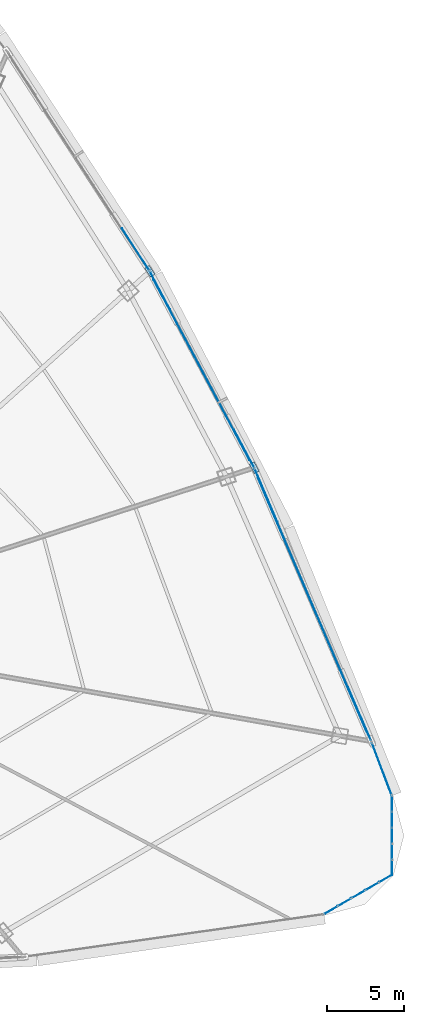
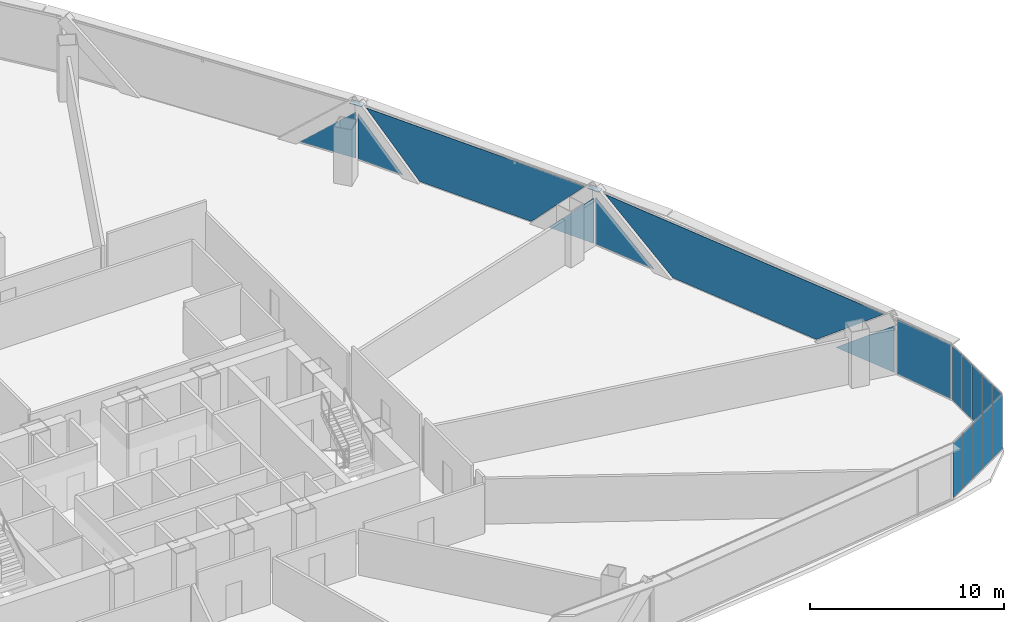
# One storey, part 30 of 39: 20 plates, 6 elements without a shape of their own.
"""IFC4 building model written with IfcOpenShell, lengths in metres."""

from ifc_helpers import new_model, si_unit, direction, frame, origin, origin_2d, place, context, subcontext, project, spatial, polyline, rectangle, outline, extrude, source, transform, mapped, material, layer, layer_set, type_object, element, aggregate, save


model = new_model("IFC4")

# Units and contexts
model_context = context("Model", 3, precision=1e-05, world=origin(), true_north=direction((0.0, 1.0)))
body_context = subcontext(model_context, "Body", "Model", "MODEL_VIEW")
ifc_project = project(units=[si_unit("LENGTHUNIT", "METRE"), si_unit("AREAUNIT", "SQUARE_METRE"), si_unit("VOLUMEUNIT", "CUBIC_METRE"), si_unit("PLANEANGLEUNIT", "RADIAN"), si_unit("MASSUNIT", "GRAM", prefix="KILO"), si_unit("THERMODYNAMICTEMPERATUREUNIT", "KELVIN"), si_unit("POWERUNIT", "WATT")], contexts=[model_context])

# Site, building, storey
site_placement = place(None, origin())
site = spatial("IfcSite", under=ifc_project, at=site_placement, CompositionType="ELEMENT")
building_placement = place(site_placement, origin())
building = spatial("IfcBuilding", under=site, at=building_placement, Name="Yunzhuo Pagoda Commons", CompositionType="ELEMENT")
storey_placement = place(building_placement, frame((0.0, 0.0, 92.580078125)))
storey = spatial("IfcBuildingStorey", under=building, at=storey_placement, Name="L23", CompositionType="ELEMENT", Elevation=92.580078125)

# Curtain wall, plates
ifc_material_1 = material(Name="Anodized aluminium 6063-T6", Category="aluminium")
ifc_layer_1 = layer(ifc_material_1, 0.1650390625)
ifc_layer_set_1 = layer_set([ifc_layer_1], Name="Anodized aluminium 6063-T6")
curtain_wall_type_1 = type_object("IfcCurtainWallType", Name="CW-LOW Low-Zone Ribbon Curtain Wall", PredefinedType="NOTDEFINED", material=ifc_layer_set_1)
curtain_wall_1_placement = place(storey_placement, origin())
curtain_wall_1 = element("IfcCurtainWall", 1, at=curtain_wall_1_placement, inside=storey, type_object=curtain_wall_type_1, Name="L23 curtain wall CW-L23-F2B2", PredefinedType="NOTDEFINED")
ifc_material_2 = material(Name="Tempered low-e double glazing", Category="glass")
ifc_layer_2 = layer(ifc_material_2, 0.028076171875)
ifc_layer_set_2 = layer_set([ifc_layer_2], Name="Tempered low-e double glazing")
plate_type_1 = type_object("IfcPlateType", Name="CW-LOW-P Low-E Double Glazing 28", PredefinedType="CURTAIN_PANEL", material=ifc_layer_set_2)
plate_1_placement = place(storey_placement, frame((87.628173828125, 28.352783203125, 1.53271484375), z_axis=(0.919382894415, 0.393363818185, 0.0), x_axis=(-0.393363818185, 0.919382894415, 0.0)))
plate_1 = element("IfcPlate", 2, at=plate_1_placement, type_object=plate_type_1, Name="CW panel 1.1 lite 1", PredefinedType="CURTAIN_PANEL", context=body_context, shape_type="SweptSolid", body=[
    extrude(outline(polyline([(-1.873779296875, -1.472900390625), (1.873779296875, -1.472900390625), (-1.873779296875, 1.472900390625), (-1.873779296875, -1.472900390625)])), origin(), (0.0, 0.0, 1.0), 0.028076171875),
])
plate_2_placement = place(storey_placement, frame((84.5595703125, 35.448486328125, 1.77001953125), z_axis=(0.919382894415, 0.393363818185, 0.0), x_axis=(-0.393363818185, 0.919382894415, 0.0)))
plate_2 = element("IfcPlate", 3, at=plate_2_placement, type_object=plate_type_1, Name="CW panel 1.1 lite 2", PredefinedType="CURTAIN_PANEL", context=body_context, shape_type="SweptSolid", body=[
    extrude(outline(polyline([(-8.978515625, 1.7099609375), (-4.627197265625, -1.7099609375), (4.627197265625, -1.7099609375), (8.978515625, 1.7099609375), (-8.978515625, 1.7099609375)])), origin(), (0.0, 0.0, 1.0), 0.028076171875),
])
plate_3_placement = place(storey_placement, frame((81.546142578125, 42.56787109375, 1.53271484375), z_axis=(0.919382894415, 0.393363818185, 0.0), x_axis=(-0.393363818185, 0.919382894415, 0.0)))
plate_3 = element("IfcPlate", 4, at=plate_3_placement, type_object=plate_type_1, Name="CW panel 1.1 lite 3", PredefinedType="CURTAIN_PANEL", context=body_context, shape_type="SweptSolid", body=[
    extrude(outline(polyline([(-1.873779296875, -1.472900390625), (1.873779296875, -1.472900390625), (1.873779296875, 1.472900390625), (-1.873779296875, -1.472900390625)])), origin(), (0.0, 0.0, 1.0), 0.028076171875),
])
aggregate(curtain_wall_1, [plate_1, plate_2, plate_3])

curtain_wall_2_placement = place(storey_placement, origin())
curtain_wall_2 = element("IfcCurtainWall", 5, at=curtain_wall_2_placement, inside=storey, type_object=curtain_wall_type_1, Name="L23 curtain wall CW-L23-F2B3", PredefinedType="NOTDEFINED")
plate_4_placement = place(storey_placement, frame((80.114990234375, 45.60791015625, 1.489990234375), z_axis=(0.882975865639, 0.469418385558, 0.0), x_axis=(-0.469418385558, 0.882975865639, 0.0)))
plate_4 = element("IfcPlate", 6, at=plate_4_placement, type_object=plate_type_1, Name="CW panel 1.1 lite 1", PredefinedType="CURTAIN_PANEL", context=body_context, shape_type="SweptSolid", body=[
    extrude(outline(polyline([(-1.360107421875, -1.43017578125), (1.360107421875, -1.43017578125), (-1.360107421875, 1.43017578125), (-1.360107421875, -1.43017578125)])), origin(), (0.0, 0.0, 1.0), 0.028076171875),
])
plate_5_placement = place(storey_placement, frame((77.36474609375, 50.717529296875, 1.77001953125), z_axis=(0.882975865639, 0.469418385558, 0.0), x_axis=(-0.469418385558, 0.882975865639, 0.0)))
plate_5 = element("IfcPlate", 7, at=plate_5_placement, type_object=plate_type_1, Name="CW panel 1.1 lite 2", PredefinedType="CURTAIN_PANEL", context=body_context, shape_type="SweptSolid", body=[
    extrude(outline(polyline([(-6.646240234375, 1.7099609375), (-3.393798828125, -1.7099609375), (3.393798828125, -1.7099609375), (6.646240234375, 1.7099609375), (-6.646240234375, 1.7099609375)])), origin(), (0.0, 0.0, 1.0), 0.028076171875),
])
plate_6_placement = place(storey_placement, frame((74.667236328125, 55.855224609375, 1.489990234375), z_axis=(0.882975865639, 0.469418385558, 0.0), x_axis=(-0.469418385558, 0.882975865639, 0.0)))
plate_6 = element("IfcPlate", 8, at=plate_6_placement, type_object=plate_type_1, Name="CW panel 1.1 lite 3", PredefinedType="CURTAIN_PANEL", context=body_context, shape_type="SweptSolid", body=[
    extrude(outline(polyline([(-1.360107421875, -1.43017578125), (1.360107421875, -1.43017578125), (1.360107421875, 1.43017578125), (-1.360107421875, -1.43017578125)])), origin(), (0.0, 0.0, 1.0), 0.028076171875),
])
aggregate(curtain_wall_2, [plate_4, plate_5, plate_6])

# Curtain wall, plate
curtain_wall_3_placement = place(storey_placement, origin())
curtain_wall_3 = element("IfcCurtainWall", 9, at=curtain_wall_3_placement, inside=storey, type_object=curtain_wall_type_1, Name="L23 curtain wall CW-L23-F2B4", PredefinedType="NOTDEFINED")
plate_7_placement = place(storey_placement, frame((73.078369140625, 58.53173828125, 1.515869140625), z_axis=(0.838972259493, 0.544174188841, 0.0), x_axis=(-0.544174188841, 0.838972259493, 0.0)))
plate_7 = element("IfcPlate", 10, at=plate_7_placement, type_object=plate_type_1, Name="CW panel 1.1 lite 1", PredefinedType="CURTAIN_PANEL", context=body_context, shape_type="SweptSolid", body=[
    extrude(outline(polyline([(-1.62646484375, -1.455810546875), (1.62646484375, -1.455810546875), (-1.62646484375, 1.455810546875), (-1.62646484375, -1.455810546875)])), origin(), (0.0, 0.0, 1.0), 0.028076171875),
])
aggregate(curtain_wall_3, [plate_7])

# Plates
ifc_material_3 = material(Name="Structural steel Q355B", Category="steel")
ifc_layer_3 = layer(ifc_material_3, 0.028076171875)
ifc_layer_set_3 = layer_set([ifc_layer_3], Name="Structural steel Q355B")
plate_type_2 = type_object("IfcPlateType", Name="SP-ND1 Lattice Node Cap Plate 800x500x28", PredefinedType="USERDEFINED", material=ifc_layer_set_3)
shared_shape_1 = source(origin(), body_context, "Body", "SweptSolid", [
    extrude(rectangle(XDim=0.699951171875, YDim=0.35009765625, at=origin_2d()), origin(), (0.0, 0.0, 1.0), 0.035888671875),
])
for number, where, z_axis, x_axis, name in (
    (11, (80.79638671875, 44.356201171875, 3.501953125), (0.0, 0.0, 1.0), (-0.469425331115, 0.882972173122, 0.0), "L23 setback lattice tie plate F2.2L"),
    (12, (74.0107421875, 57.1201171875, 3.501953125), (0.0, 0.0, 1.0), (-0.544170548087, 0.838974620948, 0.0), "L23 setback lattice tie plate F2.3L"),
):
    element("IfcPlate", number, at=place(storey_placement, frame(where, z_axis=z_axis, x_axis=x_axis)), inside=storey, type_object=plate_type_2, Name=name, ObjectType="STIFFENER_PLATE", PredefinedType="USERDEFINED", context=body_context, shape_type="MappedRepresentation", body=[
        mapped(shared_shape_1, transform((0.0, 0.0, 0.0), scale=1.0)),
    ])

# Curtain wall, plate
curtain_wall_4_placement = place(storey_placement, origin())
curtain_wall_4 = element("IfcCurtainWall", 13, at=curtain_wall_4_placement, inside=storey, type_object=curtain_wall_type_1, Name="L23 curtain wall CW-L23-F2B1", PredefinedType="NOTDEFINED")
shared_shape_2 = source(origin(), body_context, "Body", "SweptSolid", [
    extrude(rectangle(XDim=3.582763671875, YDim=0.028076171875, at=origin_2d()), origin(), (0.0, 0.0, 1.0), 3.419921875),
])
plate_8_placement = place(storey_placement, frame((89.086669921875, 24.768798828125, 0.06005859375), z_axis=(0.0, 0.0, 1.0), x_axis=(-0.353448231461, 0.935454086355, 0.0)))
plate_8 = element("IfcPlate", 14, at=plate_8_placement, type_object=plate_type_1, Name="CW panel 1.1", PredefinedType="CURTAIN_PANEL", context=body_context, shape_type="MappedRepresentation", body=[
    mapped(shared_shape_2, transform((0.0, 0.0, 0.0), scale=1.0)),
])
aggregate(curtain_wall_4, [plate_8])

# Curtain wall, plates
ifc_layer_4 = layer(ifc_material_1, 0.1298828125)
ifc_layer_set_4 = layer_set([ifc_layer_4], Name="Anodized aluminium 6063-T6")
curtain_wall_type_2 = type_object("IfcCurtainWallType", Name="CW-VTX Rounded Corner Curtain Wall", PredefinedType="NOTDEFINED", material=ifc_layer_set_4)
curtain_wall_5_placement = place(storey_placement, origin())
curtain_wall_5 = element("IfcCurtainWall", 15, at=curtain_wall_5_placement, inside=storey, type_object=curtain_wall_type_2, Name="L23 curtain wall CW-L23-VTX2S1", PredefinedType="NOTDEFINED")
ifc_layer_5 = layer(ifc_material_2, 0.02587890625)
ifc_layer_set_5 = layer_set([ifc_layer_5], Name="Tempered low-e double glazing")
plate_type_3 = type_object("IfcPlateType", Name="CW-VTX-P Low-E Double Glazing 26", PredefinedType="CURTAIN_PANEL", material=ifc_layer_set_5)
shared_shape_3 = source(origin(), body_context, "Body", "SweptSolid", [
    extrude(rectangle(XDim=0.953125, YDim=0.028076171875, at=origin_2d()), origin(), (0.0, 0.0, 1.0), 3.429931640625),
])
plate_9_placement = place(storey_placement, frame((85.7802734375, 15.59619140625, 0.05517578125), z_axis=(0.0, 0.0, 1.0), x_axis=(0.865426726249, 0.501035509214, 0.0)))
plate_9 = element("IfcPlate", 16, at=plate_9_placement, type_object=plate_type_3, Name="CW panel 1.1", PredefinedType="CURTAIN_PANEL", context=body_context, shape_type="MappedRepresentation", body=[
    mapped(shared_shape_3, transform((0.0, 0.0, 0.0), scale=1.0)),
])
plate_10_placement = place(storey_placement, frame((89.341064453125, 17.65771484375, 0.05517578125), z_axis=(0.0, 0.0, 1.0), x_axis=(0.865426726249, 0.501035509214, 0.0)))
plate_10 = element("IfcPlate", 17, at=plate_10_placement, type_object=plate_type_3, Name="CW panel 5.1", PredefinedType="CURTAIN_PANEL", context=body_context, shape_type="MappedRepresentation", body=[
    mapped(shared_shape_3, transform((0.0, 0.0, 0.0), scale=1.0)),
])

curtain_wall_6_placement = place(storey_placement, origin())
curtain_wall_6 = element("IfcCurtainWall", 18, at=curtain_wall_6_placement, inside=storey, type_object=curtain_wall_type_2, Name="L23 curtain wall CW-L23-VTX2S2", PredefinedType="NOTDEFINED")
plate_11_placement = place(storey_placement, frame((89.75927734375, 18.38623046875, 0.05517578125), z_axis=(0.0, 0.0, 1.0), x_axis=(-0.003572992237, 0.999993616843, 0.0)))
plate_11 = element("IfcPlate", 19, at=plate_11_placement, type_object=plate_type_3, Name="CW panel 1.1", PredefinedType="CURTAIN_PANEL", context=body_context, shape_type="MappedRepresentation", body=[
    mapped(shared_shape_3, transform((0.0, 0.0, 0.0), scale=1.0)),
])
plate_12_placement = place(storey_placement, frame((89.74462890625, 22.500732421875, 0.05517578125), z_axis=(0.0, 0.0, 1.0), x_axis=(-0.003572992237, 0.999993616843, 0.0)))
plate_12 = element("IfcPlate", 20, at=plate_12_placement, type_object=plate_type_3, Name="CW panel 5.1", PredefinedType="CURTAIN_PANEL", context=body_context, shape_type="MappedRepresentation", body=[
    mapped(shared_shape_3, transform((0.0, 0.0, 0.0), scale=1.0)),
])

# Plate
shared_shape_4 = source(origin(), body_context, "Body", "SweptSolid", [
    extrude(rectangle(XDim=0.98046875, YDim=0.028076171875, at=origin_2d()), origin(), (0.0, 0.0, 1.0), 3.429931640625),
])
plate_13_placement = place(storey_placement, frame((86.66455078125, 16.108154296875, 0.05517578125), z_axis=(0.0, 0.0, 1.0), x_axis=(0.865426726249, 0.501035509214, 0.0)))
plate_13 = element("IfcPlate", 21, at=plate_13_placement, type_object=plate_type_3, Name="CW panel 2.1", PredefinedType="CURTAIN_PANEL", context=body_context, shape_type="MappedRepresentation", body=[
    mapped(shared_shape_4, transform((0.0, 0.0, 0.0), scale=1.0)),
])

plate_14_placement = place(storey_placement, frame((87.560546875, 16.626953125, 0.05517578125), z_axis=(0.0, 0.0, 1.0), x_axis=(0.865426726249, 0.501035509214, 0.0)))
plate_14 = element("IfcPlate", 22, at=plate_14_placement, type_object=plate_type_3, Name="CW panel 3.1", PredefinedType="CURTAIN_PANEL", context=body_context, shape_type="MappedRepresentation", body=[
    mapped(shared_shape_4, transform((0.0, 0.0, 0.0), scale=1.0)),
])

plate_15_placement = place(storey_placement, frame((88.456787109375, 17.145751953125, 0.05517578125), z_axis=(0.0, 0.0, 1.0), x_axis=(0.865426726249, 0.501035509214, 0.0)))
plate_15 = element("IfcPlate", 23, at=plate_15_placement, type_object=plate_type_3, Name="CW panel 4.1", PredefinedType="CURTAIN_PANEL", context=body_context, shape_type="MappedRepresentation", body=[
    mapped(shared_shape_4, transform((0.0, 0.0, 0.0), scale=1.0)),
])

aggregate(curtain_wall_5, [plate_9, plate_13, plate_14, plate_15, plate_10])

plate_16_placement = place(storey_placement, frame((89.755615234375, 19.407958984375, 0.05517578125), z_axis=(0.0, 0.0, 1.0), x_axis=(-0.003572992237, 0.999993616843, 0.0)))
plate_16 = element("IfcPlate", 24, at=plate_16_placement, type_object=plate_type_3, Name="CW panel 2.1", PredefinedType="CURTAIN_PANEL", context=body_context, shape_type="MappedRepresentation", body=[
    mapped(shared_shape_4, transform((0.0, 0.0, 0.0), scale=1.0)),
])

plate_17_placement = place(storey_placement, frame((89.751953125, 20.443359375, 0.05517578125), z_axis=(0.0, 0.0, 1.0), x_axis=(-0.003572992237, 0.999993616843, 0.0)))
plate_17 = element("IfcPlate", 25, at=plate_17_placement, type_object=plate_type_3, Name="CW panel 3.1", PredefinedType="CURTAIN_PANEL", context=body_context, shape_type="MappedRepresentation", body=[
    mapped(shared_shape_4, transform((0.0, 0.0, 0.0), scale=1.0)),
])

plate_18_placement = place(storey_placement, frame((89.748291015625, 21.47900390625, 0.05517578125), z_axis=(0.0, 0.0, 1.0), x_axis=(-0.003572992237, 0.999993616843, 0.0)))
plate_18 = element("IfcPlate", 26, at=plate_18_placement, type_object=plate_type_3, Name="CW panel 4.1", PredefinedType="CURTAIN_PANEL", context=body_context, shape_type="MappedRepresentation", body=[
    mapped(shared_shape_4, transform((0.0, 0.0, 0.0), scale=1.0)),
])

aggregate(curtain_wall_6, [plate_11, plate_16, plate_17, plate_18, plate_12])

save(model, "model.ifc")
